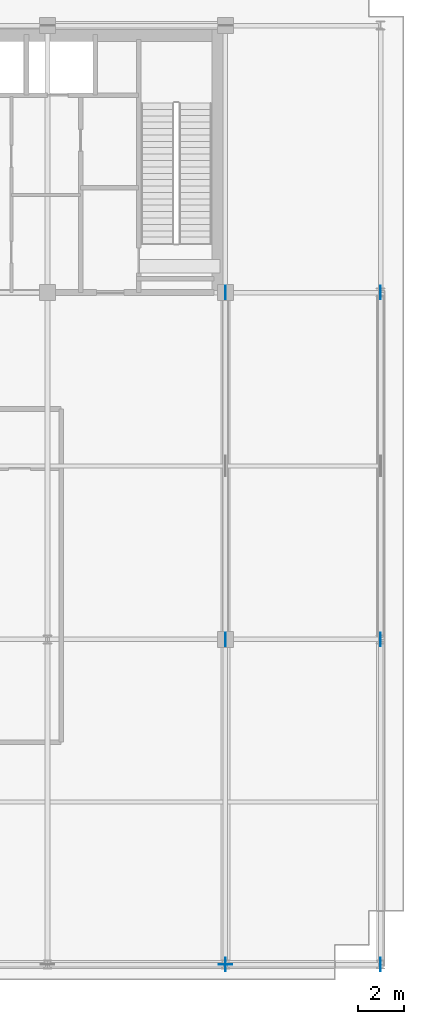
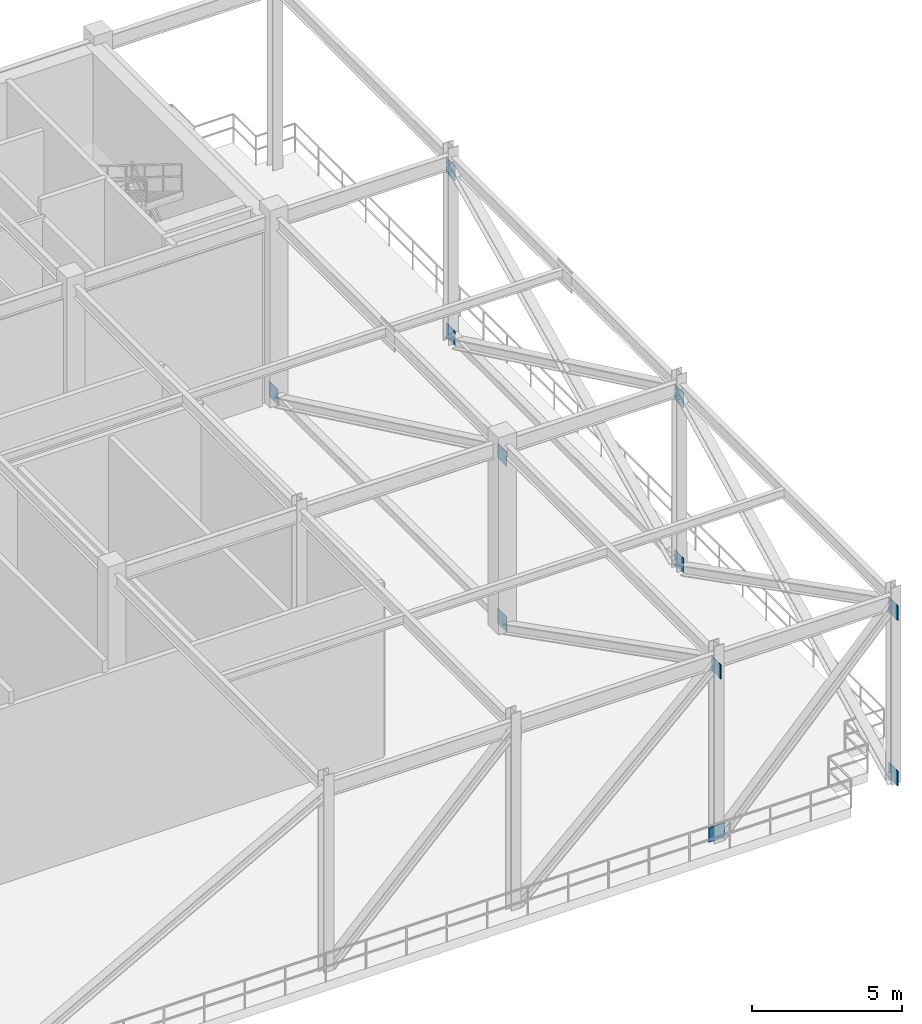
# One storey, part 7 of 14: 11 plates.
"""IFC4 building model written with IfcOpenShell, lengths in metres."""

from ifc_helpers import new_model, si_unit, direction, frame, origin, origin_2d, place, context, subcontext, project, spatial, rectangle, extrude, source, transform, mapped, material, layer, layer_set, type_object, element, save


model = new_model("IFC4")

# Units and contexts
model_context = context("Model", 3, precision=1e-05, world=origin(), true_north=direction((0.0, 1.0)))
body_context = subcontext(model_context, "Body", "Model", "MODEL_VIEW")
ifc_project = project(units=[si_unit("LENGTHUNIT", "METRE"), si_unit("AREAUNIT", "SQUARE_METRE"), si_unit("VOLUMEUNIT", "CUBIC_METRE"), si_unit("PLANEANGLEUNIT", "RADIAN"), si_unit("MASSUNIT", "GRAM", prefix="KILO")], contexts=[model_context])

# Site, building, storey
site_placement = place(None, origin())
site = spatial("IfcSite", under=ifc_project, at=site_placement, CompositionType="ELEMENT")
building_placement = place(site_placement, origin())
building = spatial("IfcBuilding", under=site, at=building_placement, Name="Trelvane Seafront Commons", CompositionType="ELEMENT")
storey_placement = place(building_placement, frame((0.0, 0.0, 182.5)))
storey = spatial("IfcBuildingStorey", under=building, at=storey_placement, Name="L48", CompositionType="ELEMENT", Elevation=182.5)

# Plates
ifc_material = material(Name="Steel SM355 (S355)", Category="steel")
ifc_layer = layer(ifc_material, 0.031982421875, Name="STR-PLT-GUS2")
ifc_layer_set = layer_set([ifc_layer], Name="Steel SM355 (S355)")
plate_type = type_object("IfcPlateType", Name="STR-PLT-GUS2", PredefinedType="SHEET", material=ifc_layer_set)
shared_shape_1 = source(origin(), body_context, "Body", "SweptSolid", [
    extrude(rectangle(XDim=0.031982421875, YDim=0.60009765625, at=origin_2d()), origin(), (0.0, 0.0, 1.0), 0.60009765625),
])
for number, where, z_axis, x_axis, name in (
    (1, (58.800048828125, 33.39990234375, -0.02001953125), (0.0, 0.0, 1.0), (1.0, 0.0, 0.0), "L48 Brace Connection Gusset Plate GP-043"),
    (2, (58.800048828125, 18.199951171875, 6.68994140625), (0.0, 0.0, 1.0), (1.0, 0.0, 0.0), "L48 Brace Connection Gusset Plate GP-044"),
    (3, (58.800048828125, 18.199951171875, -0.02001953125), (0.0, 0.0, 1.0), (1.0, 0.0, 0.0), "L48 Brace Connection Gusset Plate GP-045"),
    (4, (58.800048828125, 3.949951171875, 6.68994140625), (0.0, 0.0, 1.0), (1.0, 0.0, 0.0), "L48 Brace Connection Gusset Plate GP-046"),
    (5, (65.60009765625, 33.39990234375, -0.02001953125), (0.0, 0.0, 1.0), (1.0, 0.0, 0.0), "L48 Brace Connection Gusset Plate GP-047"),
    (6, (65.60009765625, 18.199951171875, 6.68994140625), (0.0, 0.0, 1.0), (1.0, 0.0, 0.0), "L48 Brace Connection Gusset Plate GP-048"),
    (7, (65.60009765625, 18.199951171875, -0.02001953125), (0.0, 0.0, 1.0), (1.0, 0.0, 0.0), "L48 Brace Connection Gusset Plate GP-049"),
    (8, (65.60009765625, 3.949951171875, 6.68994140625), (0.0, 0.0, 1.0), (1.0, 0.0, 0.0), "L48 Brace Connection Gusset Plate GP-050"),
    (9, (65.60009765625, 3.949951171875, -0.02001953125), (0.0, 0.0, 1.0), (1.0, 0.0, 0.0), "L48 Brace Connection Gusset Plate GP-067"),
    (10, (65.60009765625, 33.39990234375, 6.68994140625), (0.0, 0.0, 1.0), (1.0, 0.0, 0.0), "L48 Brace Connection Gusset Plate GP-068"),
):
    element("IfcPlate", number, at=place(storey_placement, frame(where, z_axis=z_axis, x_axis=x_axis)), inside=storey, type_object=plate_type, Name=name, PredefinedType="SHEET", context=body_context, shape_type="MappedRepresentation", body=[
        mapped(shared_shape_1, transform((0.0, 0.0, 0.0), x_axis=(1.0, 0.0, 0.0), y_axis=(0.0, 1.0, 0.0), z_axis=(0.0, 0.0, 1.0), scale=1.0)),
    ])
shared_shape_2 = source(origin(), body_context, "Body", "SweptSolid", [
    extrude(rectangle(XDim=0.60009765625, YDim=0.031982421875, at=origin_2d()), origin(), (0.0, 0.0, 1.0), 0.60009765625),
])
plate_placement = place(storey_placement, frame((58.800048828125, 3.949951171875, -0.02001953125), z_axis=(0.0, 0.0, 1.0), x_axis=(1.0, 0.0, 0.0)))
element("IfcPlate", 11, at=plate_placement, inside=storey, type_object=plate_type, Name="L48 Brace Connection Gusset Plate GP-065", PredefinedType="SHEET", context=body_context, shape_type="MappedRepresentation", body=[
    mapped(shared_shape_2, transform((0.0, 0.0, 0.0), x_axis=(1.0, 0.0, 0.0), y_axis=(0.0, 1.0, 0.0), z_axis=(0.0, 0.0, 1.0), scale=1.0)),
])

save(model, "model.ifc")
